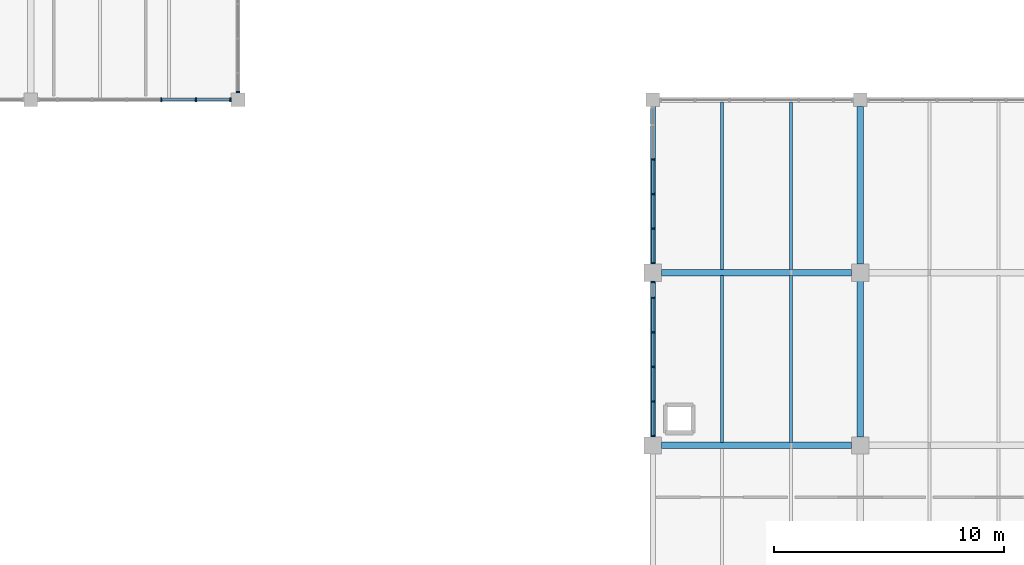
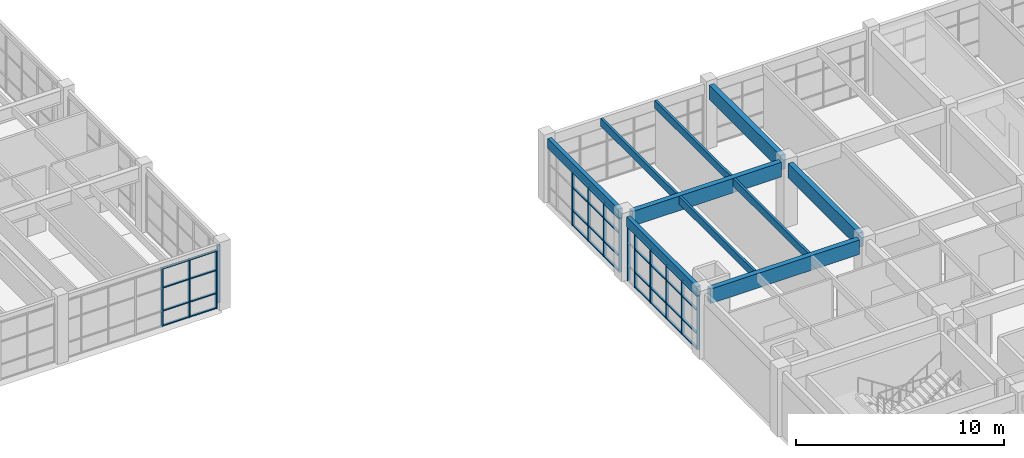
# One storey, part 29 of 76: 50 members, 10 beams, 4 elements without a shape of their own.
"""IFC4 building model written with IfcOpenShell, lengths in metres."""

from ifc_helpers import new_model, si_unit, direction, frame, origin, origin_2d, place, context, subcontext, project, spatial, rectangle, extrude, material, layer, layer_set, material_profile, profile_set, type_object, element, aggregate, save


model = new_model("IFC4")

# Units and contexts
model_context = context("Model", 3, precision=1e-05, world=origin(), true_north=direction((0.0, 1.0)))
body_context = subcontext(model_context, "Body", "Model", "MODEL_VIEW")
ifc_project = project(units=[si_unit("LENGTHUNIT", "METRE"), si_unit("AREAUNIT", "SQUARE_METRE"), si_unit("VOLUMEUNIT", "CUBIC_METRE"), si_unit("PLANEANGLEUNIT", "RADIAN"), si_unit("MASSUNIT", "GRAM", prefix="KILO")], contexts=[model_context])

# Site, building, storey
site_placement = place(None, origin())
site = spatial("IfcSite", under=ifc_project, at=site_placement, CompositionType="ELEMENT")
building_placement = place(site_placement, origin())
building = spatial("IfcBuilding", under=site, at=building_placement, Name="Marnridge Secondary College", CompositionType="ELEMENT")
storey_placement = place(building_placement, frame((0.0, 0.0, 4.5)))
storey = spatial("IfcBuildingStorey", under=building, at=storey_placement, Name="L01", CompositionType="ELEMENT", Elevation=4.5)

# Beams
ifc_material_1 = material(Name="Glulam timber GL18", Category="wood")
ifc_material_profile_1 = material_profile(ifc_material_1, rectangle(XDim=0.215087890625, YDim=0.5849609375, at=origin_2d()), Name="GL18 215x585")
ifc_profile_set_1 = profile_set([ifc_material_profile_1], Name="Glulam timber GL18")
beam_type_1 = type_object("IfcBeamType", Name="BM-GL585-EXT", PredefinedType="SPANDREL", material=ifc_profile_set_1)
beam_1_placement = place(storey_placement, frame((54.0, 67.868896484375, 3.447509765625), z_axis=(0.0, 1.0, 0.0), x_axis=(-1.0, 0.0, 0.0)))
element("IfcBeam", 1, at=beam_1_placement, inside=storey, type_object=beam_type_1, Name="Beam BS-L01-0430", PredefinedType="SPANDREL", context=body_context, shape_type="SweptSolid", body=[
    extrude(rectangle(XDim=0.215087890625, YDim=0.5849609375, at=origin_2d()), origin(), (0.0, 0.0, 1.0), 6.76220703125),
])
beam_2_placement = place(storey_placement, frame((54.0, 75.368896484375, 3.447509765625), z_axis=(0.0, 1.0, 0.0), x_axis=(-1.0, 0.0, 0.0)))
element("IfcBeam", 2, at=beam_2_placement, inside=storey, type_object=beam_type_1, Name="Beam BS-L01-0433", PredefinedType="SPANDREL", context=body_context, shape_type="SweptSolid", body=[
    extrude(rectangle(XDim=0.215087890625, YDim=0.5849609375, at=origin_2d()), origin(), (0.0, 0.0, 1.0), 6.837158203125),
])
ifc_material_2 = material(Name="Glulam timber GL18", Category="wood")
ifc_material_profile_2 = material_profile(ifc_material_2, rectangle(XDim=0.280029296875, YDim=0.85498046875, at=origin_2d()), Name="GL18 280x855")
ifc_profile_set_2 = profile_set([ifc_material_profile_2], Name="Glulam timber GL18")
beam_type_2 = type_object("IfcBeamType", Name="BM-GL855-INT", PredefinedType="BEAM", material=ifc_profile_set_2)
for number, where, z_axis, x_axis, name in (
    (3, (54.368896484375, 67.5, 3.3125), (1.0, 0.0, 0.0), (0.0, 1.0, 0.0), "Beam B-L01-0426"),
    (4, (54.368896484375, 75.0, 3.3125), (1.0, 0.0, 0.0), (0.0, 1.0, 0.0), "Beam B-L01-0429"),
):
    element("IfcBeam", number, at=place(storey_placement, frame(where, z_axis=z_axis, x_axis=x_axis)), inside=storey, type_object=beam_type_2, Name=name, PredefinedType="BEAM", context=body_context, shape_type="SweptSolid", body=[
        extrude(rectangle(XDim=0.280029296875, YDim=0.85498046875, at=origin_2d()), origin(), (0.0, 0.0, 1.0), 8.26220703125),
    ])
beam_3_placement = place(storey_placement, frame((63.0, 67.868896484375, 3.3125), z_axis=(0.0, 1.0, 0.0), x_axis=(-1.0, 0.0, 0.0)))
element("IfcBeam", 5, at=beam_3_placement, inside=storey, type_object=beam_type_2, Name="Beam B-L01-0431", PredefinedType="BEAM", context=body_context, shape_type="SweptSolid", body=[
    extrude(rectangle(XDim=0.280029296875, YDim=0.85498046875, at=origin_2d()), origin(), (0.0, 0.0, 1.0), 6.76220703125),
])
beam_4_placement = place(storey_placement, frame((63.0, 75.368896484375, 3.3125), z_axis=(0.0, 1.0, 0.0), x_axis=(-1.0, 0.0, 0.0)))
element("IfcBeam", 6, at=beam_4_placement, inside=storey, type_object=beam_type_2, Name="Beam B-L01-0434", PredefinedType="BEAM", context=body_context, shape_type="SweptSolid", body=[
    extrude(rectangle(XDim=0.280029296875, YDim=0.85498046875, at=origin_2d()), origin(), (0.0, 0.0, 1.0), 6.837158203125),
])
ifc_material_3 = material(Name="Engineered timber LVL E13.2", Category="wood")
ifc_material_profile_3 = material_profile(ifc_material_3, rectangle(XDim=0.1259765625, YDim=0.449951171875, at=origin_2d()), Name="LVL 126x450")
ifc_profile_set_3 = profile_set([ifc_material_profile_3], Name="Engineered timber LVL E13.2")
beam_type_3 = type_object("IfcBeamType", Name="BM-LVL450-INT", PredefinedType="JOIST", material=ifc_profile_set_3)
for number, where, z_axis, x_axis, name in (
    (7, (57.0, 67.634033203125, 3.514892578125), (0.0, 1.0, 0.0), (-1.0, 0.0, 0.0), "Beam BJ-L01-0480"),
    (8, (60.0, 67.634033203125, 3.514892578125), (0.0, 1.0, 0.0), (-1.0, 0.0, 0.0), "Beam BJ-L01-0481"),
):
    element("IfcBeam", number, at=place(storey_placement, frame(where, z_axis=z_axis, x_axis=x_axis)), inside=storey, type_object=beam_type_3, Name=name, PredefinedType="JOIST", context=body_context, shape_type="SweptSolid", body=[
        extrude(rectangle(XDim=0.1259765625, YDim=0.449951171875, at=origin_2d()), origin(), (0.0, 0.0, 1.0), 7.23193359375),
    ])
for number, where, z_axis, x_axis, name in (
    (9, (57.0, 75.134033203125, 3.514892578125), (0.0, 1.0, 0.0), (-1.0, 0.0, 0.0), "Beam BJ-L01-0482"),
    (10, (60.0, 75.134033203125, 3.514892578125), (0.0, 1.0, 0.0), (-1.0, 0.0, 0.0), "Beam BJ-L01-0483"),
):
    element("IfcBeam", number, at=place(storey_placement, frame(where, z_axis=z_axis, x_axis=x_axis)), inside=storey, type_object=beam_type_3, Name=name, PredefinedType="JOIST", context=body_context, shape_type="SweptSolid", body=[
        extrude(rectangle(XDim=0.1259765625, YDim=0.449951171875, at=origin_2d()), origin(), (0.0, 0.0, 1.0), 7.264404296875),
    ])

# Curtain wall, members
ifc_material_4 = material(Name="Thermally broken aluminium and low-E glazing", Category="aluminium")
ifc_layer = layer(ifc_material_4, 0.159912109375)
ifc_layer_set = layer_set([ifc_layer], Name="CW-MOD-1500")
curtain_wall_type = type_object("IfcCurtainWallType", Name="CW-MOD-1500", PredefinedType="NOTDEFINED", material=ifc_layer_set)
curtain_wall_1_placement = place(storey_placement, origin())
curtain_wall_1 = element("IfcCurtainWall", 11, at=curtain_wall_1_placement, inside=storey, type_object=curtain_wall_type, Name="Unitised curtain wall CW-L01-040", PredefinedType="NOTDEFINED")
ifc_material_5 = material(Name="Anodised aluminium 6063-T6", Category="aluminium")
ifc_material_profile_4 = material_profile(ifc_material_5, rectangle(XDim=0.06005859375, YDim=0.159912109375, at=origin_2d()), Name="ALU 60x160")
ifc_profile_set_4 = profile_set([ifc_material_profile_4], Name="Anodised aluminium 6063-T6")
member_type_1 = type_object("IfcMemberType", Name="CWM-ALU160", PredefinedType="MULLION", material=ifc_profile_set_4)
member_1_placement = place(storey_placement, frame((54.0, 67.908935546875, 0.0), z_axis=(0.0, 0.0, 1.0), x_axis=(0.0, 1.0, 0.0)))
member_1 = element("IfcMember", 12, at=member_1_placement, type_object=member_type_1, Name="CW-L01-040 mullion 1", PredefinedType="MULLION", context=body_context, shape_type="SweptSolid", body=[
    extrude(rectangle(XDim=0.06005859375, YDim=0.159912109375, at=origin_2d()), origin(), (0.0, 0.0, 1.0), 3.14697265625),
])
member_2_placement = place(storey_placement, frame((54.0, 69.408935546875, 0.0), z_axis=(0.0, 0.0, 1.0), x_axis=(0.0, 1.0, 0.0)))
member_2 = element("IfcMember", 13, at=member_2_placement, type_object=member_type_1, Name="CW-L01-040 mullion 2", PredefinedType="MULLION", context=body_context, shape_type="SweptSolid", body=[
    extrude(rectangle(XDim=0.06005859375, YDim=0.159912109375, at=origin_2d()), origin(), (0.0, 0.0, 1.0), 3.14697265625),
])
member_3_placement = place(storey_placement, frame((54.0, 70.908935546875, 0.0), z_axis=(0.0, 0.0, 1.0), x_axis=(0.0, 1.0, 0.0)))
member_3 = element("IfcMember", 14, at=member_3_placement, type_object=member_type_1, Name="CW-L01-040 mullion 3", PredefinedType="MULLION", context=body_context, shape_type="SweptSolid", body=[
    extrude(rectangle(XDim=0.06005859375, YDim=0.159912109375, at=origin_2d()), origin(), (0.0, 0.0, 1.0), 3.14697265625),
])
member_4_placement = place(storey_placement, frame((54.0, 72.408935546875, 0.0), z_axis=(0.0, 0.0, 1.0), x_axis=(0.0, 1.0, 0.0)))
member_4 = element("IfcMember", 15, at=member_4_placement, type_object=member_type_1, Name="CW-L01-040 mullion 4", PredefinedType="MULLION", context=body_context, shape_type="SweptSolid", body=[
    extrude(rectangle(XDim=0.06005859375, YDim=0.159912109375, at=origin_2d()), origin(), (0.0, 0.0, 1.0), 3.14697265625),
])
member_5_placement = place(storey_placement, frame((54.0, 73.908935546875, 0.0), z_axis=(0.0, 0.0, 1.0), x_axis=(0.0, 1.0, 0.0)))
member_5 = element("IfcMember", 16, at=member_5_placement, type_object=member_type_1, Name="CW-L01-040 mullion 5", PredefinedType="MULLION", context=body_context, shape_type="SweptSolid", body=[
    extrude(rectangle(XDim=0.06005859375, YDim=0.159912109375, at=origin_2d()), origin(), (0.0, 0.0, 1.0), 3.14697265625),
])
member_6_placement = place(storey_placement, frame((54.0, 74.591064453125, 0.0), z_axis=(0.0, 0.0, 1.0), x_axis=(0.0, 1.0, 0.0)))
member_6 = element("IfcMember", 17, at=member_6_placement, type_object=member_type_1, Name="CW-L01-040 mullion 6", PredefinedType="MULLION", context=body_context, shape_type="SweptSolid", body=[
    extrude(rectangle(XDim=0.06005859375, YDim=0.159912109375, at=origin_2d()), origin(), (0.0, 0.0, 1.0), 3.14697265625),
])

curtain_wall_2_placement = place(storey_placement, origin())
curtain_wall_2 = element("IfcCurtainWall", 18, at=curtain_wall_2_placement, inside=storey, type_object=curtain_wall_type, Name="Unitised curtain wall CW-L01-041", PredefinedType="NOTDEFINED")
member_7_placement = place(storey_placement, frame((54.0, 75.408935546875, 0.0), z_axis=(0.0, 0.0, 1.0), x_axis=(0.0, 1.0, 0.0)))
member_7 = element("IfcMember", 19, at=member_7_placement, type_object=member_type_1, Name="CW-L01-041 mullion 1", PredefinedType="MULLION", context=body_context, shape_type="SweptSolid", body=[
    extrude(rectangle(XDim=0.06005859375, YDim=0.159912109375, at=origin_2d()), origin(), (0.0, 0.0, 1.0), 3.14697265625),
])
member_8_placement = place(storey_placement, frame((54.0, 76.908935546875, 0.0), z_axis=(0.0, 0.0, 1.0), x_axis=(0.0, 1.0, 0.0)))
member_8 = element("IfcMember", 20, at=member_8_placement, type_object=member_type_1, Name="CW-L01-041 mullion 2", PredefinedType="MULLION", context=body_context, shape_type="SweptSolid", body=[
    extrude(rectangle(XDim=0.06005859375, YDim=0.159912109375, at=origin_2d()), origin(), (0.0, 0.0, 1.0), 3.14697265625),
])
member_9_placement = place(storey_placement, frame((54.0, 78.408935546875, 0.0), z_axis=(0.0, 0.0, 1.0), x_axis=(0.0, 1.0, 0.0)))
member_9 = element("IfcMember", 21, at=member_9_placement, type_object=member_type_1, Name="CW-L01-041 mullion 3", PredefinedType="MULLION", context=body_context, shape_type="SweptSolid", body=[
    extrude(rectangle(XDim=0.06005859375, YDim=0.159912109375, at=origin_2d()), origin(), (0.0, 0.0, 1.0), 3.14697265625),
])
member_10_placement = place(storey_placement, frame((54.0, 79.908935546875, 0.0), z_axis=(0.0, 0.0, 1.0), x_axis=(0.0, 1.0, 0.0)))
member_10 = element("IfcMember", 22, at=member_10_placement, type_object=member_type_1, Name="CW-L01-041 mullion 4", PredefinedType="MULLION", context=body_context, shape_type="SweptSolid", body=[
    extrude(rectangle(XDim=0.06005859375, YDim=0.159912109375, at=origin_2d()), origin(), (0.0, 0.0, 1.0), 3.14697265625),
])

# Curtain wall, member
curtain_wall_3_placement = place(storey_placement, origin())
curtain_wall_3 = element("IfcCurtainWall", 23, at=curtain_wall_3_placement, inside=storey, type_object=curtain_wall_type, Name="Unitised curtain wall CW-L01-050", PredefinedType="NOTDEFINED")
member_11_placement = place(storey_placement, frame((36.0, 82.833984375, 0.0), z_axis=(0.0, 0.0, 1.0), x_axis=(0.0, -1.0, 0.0)))
member_11 = element("IfcMember", 24, at=member_11_placement, type_object=member_type_1, Name="CW-L01-050 mullion 6", PredefinedType="MULLION", context=body_context, shape_type="SweptSolid", body=[
    extrude(rectangle(XDim=0.06005859375, YDim=0.159912109375, at=origin_2d()), origin(), (0.0, 0.0, 1.0), 3.39990234375),
])
aggregate(curtain_wall_3, [member_11])

# Curtain wall, members
curtain_wall_4_placement = place(storey_placement, origin())
curtain_wall_4 = element("IfcCurtainWall", 25, at=curtain_wall_4_placement, inside=storey, type_object=curtain_wall_type, Name="Unitised curtain wall CW-L01-051", PredefinedType="NOTDEFINED")
member_12_placement = place(storey_placement, frame((35.666015625, 82.5, 0.0), z_axis=(0.0, 0.0, 1.0), x_axis=(-1.0, 0.0, 0.0)))
member_12 = element("IfcMember", 26, at=member_12_placement, type_object=member_type_1, Name="CW-L01-051 mullion 1", PredefinedType="MULLION", context=body_context, shape_type="SweptSolid", body=[
    extrude(rectangle(XDim=0.06005859375, YDim=0.159912109375, at=origin_2d()), origin(), (0.0, 0.0, 1.0), 3.39990234375),
])
member_13_placement = place(storey_placement, frame((34.166015625, 82.5, 0.0), z_axis=(0.0, 0.0, 1.0), x_axis=(-1.0, 0.0, 0.0)))
member_13 = element("IfcMember", 27, at=member_13_placement, type_object=member_type_1, Name="CW-L01-051 mullion 2", PredefinedType="MULLION", context=body_context, shape_type="SweptSolid", body=[
    extrude(rectangle(XDim=0.06005859375, YDim=0.159912109375, at=origin_2d()), origin(), (0.0, 0.0, 1.0), 3.39990234375),
])
member_14_placement = place(storey_placement, frame((32.666015625, 82.5, 0.0), z_axis=(0.0, 0.0, 1.0), x_axis=(-1.0, 0.0, 0.0)))
member_14 = element("IfcMember", 28, at=member_14_placement, type_object=member_type_1, Name="CW-L01-051 mullion 3", PredefinedType="MULLION", context=body_context, shape_type="SweptSolid", body=[
    extrude(rectangle(XDim=0.06005859375, YDim=0.159912109375, at=origin_2d()), origin(), (0.0, 0.0, 1.0), 3.39990234375),
])

# Member
ifc_material_6 = material(Name="Anodised aluminium 6063-T6", Category="aluminium")
ifc_material_profile_5 = material_profile(ifc_material_6, rectangle(XDim=0.06005859375, YDim=0.1201171875, at=origin_2d()), Name="ALU 60x120")
ifc_profile_set_5 = profile_set([ifc_material_profile_5], Name="Anodised aluminium 6063-T6")
member_type_2 = type_object("IfcMemberType", Name="CWT-ALU120", PredefinedType="USERDEFINED", material=ifc_profile_set_5)
member_15_placement = place(storey_placement, frame((54.0, 67.93896484375, 0.030029296875), z_axis=(0.0, 1.0, 0.0), x_axis=(0.0, 0.0, 1.0)))
member_15 = element("IfcMember", 29, at=member_15_placement, type_object=member_type_2, Name="CW-L01-040 transom 1.1", ObjectType="TRANSOM", PredefinedType="USERDEFINED", context=body_context, shape_type="SweptSolid", body=[
    extrude(rectangle(XDim=0.06005859375, YDim=0.1201171875, at=origin_2d()), origin(), (0.0, 0.0, 1.0), 1.43994140625),
])

member_16_placement = place(storey_placement, frame((54.0, 67.93896484375, 0.89990234375), z_axis=(0.0, 1.0, 0.0), x_axis=(0.0, 0.0, 1.0)))
member_16 = element("IfcMember", 30, at=member_16_placement, type_object=member_type_2, Name="CW-L01-040 transom 1.2", ObjectType="TRANSOM", PredefinedType="USERDEFINED", context=body_context, shape_type="SweptSolid", body=[
    extrude(rectangle(XDim=0.06005859375, YDim=0.1201171875, at=origin_2d()), origin(), (0.0, 0.0, 1.0), 1.43994140625),
])

member_17_placement = place(storey_placement, frame((54.0, 67.93896484375, 2.25), z_axis=(0.0, 1.0, 0.0), x_axis=(0.0, 0.0, 1.0)))
member_17 = element("IfcMember", 31, at=member_17_placement, type_object=member_type_2, Name="CW-L01-040 transom 1.3", ObjectType="TRANSOM", PredefinedType="USERDEFINED", context=body_context, shape_type="SweptSolid", body=[
    extrude(rectangle(XDim=0.06005859375, YDim=0.1201171875, at=origin_2d()), origin(), (0.0, 0.0, 1.0), 1.43994140625),
])

member_18_placement = place(storey_placement, frame((54.0, 67.93896484375, 3.116943359375), z_axis=(0.0, 1.0, 0.0), x_axis=(0.0, 0.0, 1.0)))
member_18 = element("IfcMember", 32, at=member_18_placement, type_object=member_type_2, Name="CW-L01-040 transom 1.4", ObjectType="TRANSOM", PredefinedType="USERDEFINED", context=body_context, shape_type="SweptSolid", body=[
    extrude(rectangle(XDim=0.06005859375, YDim=0.1201171875, at=origin_2d()), origin(), (0.0, 0.0, 1.0), 1.43994140625),
])

member_19_placement = place(storey_placement, frame((54.0, 69.43896484375, 0.030029296875), z_axis=(0.0, 1.0, 0.0), x_axis=(0.0, 0.0, 1.0)))
member_19 = element("IfcMember", 33, at=member_19_placement, type_object=member_type_2, Name="CW-L01-040 transom 2.1", ObjectType="TRANSOM", PredefinedType="USERDEFINED", context=body_context, shape_type="SweptSolid", body=[
    extrude(rectangle(XDim=0.06005859375, YDim=0.1201171875, at=origin_2d()), origin(), (0.0, 0.0, 1.0), 1.43994140625),
])

member_20_placement = place(storey_placement, frame((54.0, 69.43896484375, 0.89990234375), z_axis=(0.0, 1.0, 0.0), x_axis=(0.0, 0.0, 1.0)))
member_20 = element("IfcMember", 34, at=member_20_placement, type_object=member_type_2, Name="CW-L01-040 transom 2.2", ObjectType="TRANSOM", PredefinedType="USERDEFINED", context=body_context, shape_type="SweptSolid", body=[
    extrude(rectangle(XDim=0.06005859375, YDim=0.1201171875, at=origin_2d()), origin(), (0.0, 0.0, 1.0), 1.43994140625),
])

member_21_placement = place(storey_placement, frame((54.0, 69.43896484375, 2.25), z_axis=(0.0, 1.0, 0.0), x_axis=(0.0, 0.0, 1.0)))
member_21 = element("IfcMember", 35, at=member_21_placement, type_object=member_type_2, Name="CW-L01-040 transom 2.3", ObjectType="TRANSOM", PredefinedType="USERDEFINED", context=body_context, shape_type="SweptSolid", body=[
    extrude(rectangle(XDim=0.06005859375, YDim=0.1201171875, at=origin_2d()), origin(), (0.0, 0.0, 1.0), 1.43994140625),
])

member_22_placement = place(storey_placement, frame((54.0, 69.43896484375, 3.116943359375), z_axis=(0.0, 1.0, 0.0), x_axis=(0.0, 0.0, 1.0)))
member_22 = element("IfcMember", 36, at=member_22_placement, type_object=member_type_2, Name="CW-L01-040 transom 2.4", ObjectType="TRANSOM", PredefinedType="USERDEFINED", context=body_context, shape_type="SweptSolid", body=[
    extrude(rectangle(XDim=0.06005859375, YDim=0.1201171875, at=origin_2d()), origin(), (0.0, 0.0, 1.0), 1.43994140625),
])

member_23_placement = place(storey_placement, frame((54.0, 70.93896484375, 0.030029296875), z_axis=(0.0, 1.0, 0.0), x_axis=(0.0, 0.0, 1.0)))
member_23 = element("IfcMember", 37, at=member_23_placement, type_object=member_type_2, Name="CW-L01-040 transom 3.1", ObjectType="TRANSOM", PredefinedType="USERDEFINED", context=body_context, shape_type="SweptSolid", body=[
    extrude(rectangle(XDim=0.06005859375, YDim=0.1201171875, at=origin_2d()), origin(), (0.0, 0.0, 1.0), 1.43994140625),
])

member_24_placement = place(storey_placement, frame((54.0, 70.93896484375, 0.89990234375), z_axis=(0.0, 1.0, 0.0), x_axis=(0.0, 0.0, 1.0)))
member_24 = element("IfcMember", 38, at=member_24_placement, type_object=member_type_2, Name="CW-L01-040 transom 3.2", ObjectType="TRANSOM", PredefinedType="USERDEFINED", context=body_context, shape_type="SweptSolid", body=[
    extrude(rectangle(XDim=0.06005859375, YDim=0.1201171875, at=origin_2d()), origin(), (0.0, 0.0, 1.0), 1.43994140625),
])

member_25_placement = place(storey_placement, frame((54.0, 70.93896484375, 2.25), z_axis=(0.0, 1.0, 0.0), x_axis=(0.0, 0.0, 1.0)))
member_25 = element("IfcMember", 39, at=member_25_placement, type_object=member_type_2, Name="CW-L01-040 transom 3.3", ObjectType="TRANSOM", PredefinedType="USERDEFINED", context=body_context, shape_type="SweptSolid", body=[
    extrude(rectangle(XDim=0.06005859375, YDim=0.1201171875, at=origin_2d()), origin(), (0.0, 0.0, 1.0), 1.43994140625),
])

member_26_placement = place(storey_placement, frame((54.0, 70.93896484375, 3.116943359375), z_axis=(0.0, 1.0, 0.0), x_axis=(0.0, 0.0, 1.0)))
member_26 = element("IfcMember", 40, at=member_26_placement, type_object=member_type_2, Name="CW-L01-040 transom 3.4", ObjectType="TRANSOM", PredefinedType="USERDEFINED", context=body_context, shape_type="SweptSolid", body=[
    extrude(rectangle(XDim=0.06005859375, YDim=0.1201171875, at=origin_2d()), origin(), (0.0, 0.0, 1.0), 1.43994140625),
])

member_27_placement = place(storey_placement, frame((54.0, 72.43896484375, 0.030029296875), z_axis=(0.0, 1.0, 0.0), x_axis=(0.0, 0.0, 1.0)))
member_27 = element("IfcMember", 41, at=member_27_placement, type_object=member_type_2, Name="CW-L01-040 transom 4.1", ObjectType="TRANSOM", PredefinedType="USERDEFINED", context=body_context, shape_type="SweptSolid", body=[
    extrude(rectangle(XDim=0.06005859375, YDim=0.1201171875, at=origin_2d()), origin(), (0.0, 0.0, 1.0), 1.43994140625),
])

member_28_placement = place(storey_placement, frame((54.0, 72.43896484375, 0.89990234375), z_axis=(0.0, 1.0, 0.0), x_axis=(0.0, 0.0, 1.0)))
member_28 = element("IfcMember", 42, at=member_28_placement, type_object=member_type_2, Name="CW-L01-040 transom 4.2", ObjectType="TRANSOM", PredefinedType="USERDEFINED", context=body_context, shape_type="SweptSolid", body=[
    extrude(rectangle(XDim=0.06005859375, YDim=0.1201171875, at=origin_2d()), origin(), (0.0, 0.0, 1.0), 1.43994140625),
])

member_29_placement = place(storey_placement, frame((54.0, 72.43896484375, 2.25), z_axis=(0.0, 1.0, 0.0), x_axis=(0.0, 0.0, 1.0)))
member_29 = element("IfcMember", 43, at=member_29_placement, type_object=member_type_2, Name="CW-L01-040 transom 4.3", ObjectType="TRANSOM", PredefinedType="USERDEFINED", context=body_context, shape_type="SweptSolid", body=[
    extrude(rectangle(XDim=0.06005859375, YDim=0.1201171875, at=origin_2d()), origin(), (0.0, 0.0, 1.0), 1.43994140625),
])

member_30_placement = place(storey_placement, frame((54.0, 72.43896484375, 3.116943359375), z_axis=(0.0, 1.0, 0.0), x_axis=(0.0, 0.0, 1.0)))
member_30 = element("IfcMember", 44, at=member_30_placement, type_object=member_type_2, Name="CW-L01-040 transom 4.4", ObjectType="TRANSOM", PredefinedType="USERDEFINED", context=body_context, shape_type="SweptSolid", body=[
    extrude(rectangle(XDim=0.06005859375, YDim=0.1201171875, at=origin_2d()), origin(), (0.0, 0.0, 1.0), 1.43994140625),
])

aggregate(curtain_wall_1, [member_1, member_2, member_3, member_4, member_5, member_6, member_15, member_16, member_17, member_18, member_19, member_20, member_21, member_22, member_23, member_24, member_25, member_26, member_27, member_28, member_29, member_30])

member_31_placement = place(storey_placement, frame((54.0, 75.43896484375, 0.030029296875), z_axis=(0.0, 1.0, 0.0), x_axis=(0.0, 0.0, 1.0)))
member_31 = element("IfcMember", 45, at=member_31_placement, type_object=member_type_2, Name="CW-L01-041 transom 1.1", ObjectType="TRANSOM", PredefinedType="USERDEFINED", context=body_context, shape_type="SweptSolid", body=[
    extrude(rectangle(XDim=0.06005859375, YDim=0.1201171875, at=origin_2d()), origin(), (0.0, 0.0, 1.0), 1.43994140625),
])

member_32_placement = place(storey_placement, frame((54.0, 75.43896484375, 0.89990234375), z_axis=(0.0, 1.0, 0.0), x_axis=(0.0, 0.0, 1.0)))
member_32 = element("IfcMember", 46, at=member_32_placement, type_object=member_type_2, Name="CW-L01-041 transom 1.2", ObjectType="TRANSOM", PredefinedType="USERDEFINED", context=body_context, shape_type="SweptSolid", body=[
    extrude(rectangle(XDim=0.06005859375, YDim=0.1201171875, at=origin_2d()), origin(), (0.0, 0.0, 1.0), 1.43994140625),
])

member_33_placement = place(storey_placement, frame((54.0, 75.43896484375, 2.25), z_axis=(0.0, 1.0, 0.0), x_axis=(0.0, 0.0, 1.0)))
member_33 = element("IfcMember", 47, at=member_33_placement, type_object=member_type_2, Name="CW-L01-041 transom 1.3", ObjectType="TRANSOM", PredefinedType="USERDEFINED", context=body_context, shape_type="SweptSolid", body=[
    extrude(rectangle(XDim=0.06005859375, YDim=0.1201171875, at=origin_2d()), origin(), (0.0, 0.0, 1.0), 1.43994140625),
])

member_34_placement = place(storey_placement, frame((54.0, 75.43896484375, 3.116943359375), z_axis=(0.0, 1.0, 0.0), x_axis=(0.0, 0.0, 1.0)))
member_34 = element("IfcMember", 48, at=member_34_placement, type_object=member_type_2, Name="CW-L01-041 transom 1.4", ObjectType="TRANSOM", PredefinedType="USERDEFINED", context=body_context, shape_type="SweptSolid", body=[
    extrude(rectangle(XDim=0.06005859375, YDim=0.1201171875, at=origin_2d()), origin(), (0.0, 0.0, 1.0), 1.43994140625),
])

member_35_placement = place(storey_placement, frame((54.0, 76.93896484375, 0.030029296875), z_axis=(0.0, 1.0, 0.0), x_axis=(0.0, 0.0, 1.0)))
member_35 = element("IfcMember", 49, at=member_35_placement, type_object=member_type_2, Name="CW-L01-041 transom 2.1", ObjectType="TRANSOM", PredefinedType="USERDEFINED", context=body_context, shape_type="SweptSolid", body=[
    extrude(rectangle(XDim=0.06005859375, YDim=0.1201171875, at=origin_2d()), origin(), (0.0, 0.0, 1.0), 1.43994140625),
])

member_36_placement = place(storey_placement, frame((54.0, 76.93896484375, 0.89990234375), z_axis=(0.0, 1.0, 0.0), x_axis=(0.0, 0.0, 1.0)))
member_36 = element("IfcMember", 50, at=member_36_placement, type_object=member_type_2, Name="CW-L01-041 transom 2.2", ObjectType="TRANSOM", PredefinedType="USERDEFINED", context=body_context, shape_type="SweptSolid", body=[
    extrude(rectangle(XDim=0.06005859375, YDim=0.1201171875, at=origin_2d()), origin(), (0.0, 0.0, 1.0), 1.43994140625),
])

member_37_placement = place(storey_placement, frame((54.0, 76.93896484375, 2.25), z_axis=(0.0, 1.0, 0.0), x_axis=(0.0, 0.0, 1.0)))
member_37 = element("IfcMember", 51, at=member_37_placement, type_object=member_type_2, Name="CW-L01-041 transom 2.3", ObjectType="TRANSOM", PredefinedType="USERDEFINED", context=body_context, shape_type="SweptSolid", body=[
    extrude(rectangle(XDim=0.06005859375, YDim=0.1201171875, at=origin_2d()), origin(), (0.0, 0.0, 1.0), 1.43994140625),
])

member_38_placement = place(storey_placement, frame((54.0, 76.93896484375, 3.116943359375), z_axis=(0.0, 1.0, 0.0), x_axis=(0.0, 0.0, 1.0)))
member_38 = element("IfcMember", 52, at=member_38_placement, type_object=member_type_2, Name="CW-L01-041 transom 2.4", ObjectType="TRANSOM", PredefinedType="USERDEFINED", context=body_context, shape_type="SweptSolid", body=[
    extrude(rectangle(XDim=0.06005859375, YDim=0.1201171875, at=origin_2d()), origin(), (0.0, 0.0, 1.0), 1.43994140625),
])

member_39_placement = place(storey_placement, frame((54.0, 78.43896484375, 0.030029296875), z_axis=(0.0, 1.0, 0.0), x_axis=(0.0, 0.0, 1.0)))
member_39 = element("IfcMember", 53, at=member_39_placement, type_object=member_type_2, Name="CW-L01-041 transom 3.1", ObjectType="TRANSOM", PredefinedType="USERDEFINED", context=body_context, shape_type="SweptSolid", body=[
    extrude(rectangle(XDim=0.06005859375, YDim=0.1201171875, at=origin_2d()), origin(), (0.0, 0.0, 1.0), 1.43994140625),
])

member_40_placement = place(storey_placement, frame((54.0, 78.43896484375, 0.89990234375), z_axis=(0.0, 1.0, 0.0), x_axis=(0.0, 0.0, 1.0)))
member_40 = element("IfcMember", 54, at=member_40_placement, type_object=member_type_2, Name="CW-L01-041 transom 3.2", ObjectType="TRANSOM", PredefinedType="USERDEFINED", context=body_context, shape_type="SweptSolid", body=[
    extrude(rectangle(XDim=0.06005859375, YDim=0.1201171875, at=origin_2d()), origin(), (0.0, 0.0, 1.0), 1.43994140625),
])

member_41_placement = place(storey_placement, frame((54.0, 78.43896484375, 2.25), z_axis=(0.0, 1.0, 0.0), x_axis=(0.0, 0.0, 1.0)))
member_41 = element("IfcMember", 55, at=member_41_placement, type_object=member_type_2, Name="CW-L01-041 transom 3.3", ObjectType="TRANSOM", PredefinedType="USERDEFINED", context=body_context, shape_type="SweptSolid", body=[
    extrude(rectangle(XDim=0.06005859375, YDim=0.1201171875, at=origin_2d()), origin(), (0.0, 0.0, 1.0), 1.43994140625),
])

member_42_placement = place(storey_placement, frame((54.0, 78.43896484375, 3.116943359375), z_axis=(0.0, 1.0, 0.0), x_axis=(0.0, 0.0, 1.0)))
member_42 = element("IfcMember", 56, at=member_42_placement, type_object=member_type_2, Name="CW-L01-041 transom 3.4", ObjectType="TRANSOM", PredefinedType="USERDEFINED", context=body_context, shape_type="SweptSolid", body=[
    extrude(rectangle(XDim=0.06005859375, YDim=0.1201171875, at=origin_2d()), origin(), (0.0, 0.0, 1.0), 1.43994140625),
])

aggregate(curtain_wall_2, [member_7, member_8, member_9, member_10, member_31, member_32, member_33, member_34, member_35, member_36, member_37, member_38, member_39, member_40, member_41, member_42])

member_43_placement = place(storey_placement, frame((35.635986328125, 82.5, 0.030029296875), z_axis=(-1.0, 0.0, 0.0), x_axis=(0.0, 0.0, 1.0)))
member_43 = element("IfcMember", 57, at=member_43_placement, type_object=member_type_2, Name="CW-L01-051 transom 1.1", ObjectType="TRANSOM", PredefinedType="USERDEFINED", context=body_context, shape_type="SweptSolid", body=[
    extrude(rectangle(XDim=0.06005859375, YDim=0.1201171875, at=origin_2d()), origin(), (0.0, 0.0, 1.0), 1.43994140625),
])

member_44_placement = place(storey_placement, frame((35.635986328125, 82.5, 0.89990234375), z_axis=(-1.0, 0.0, 0.0), x_axis=(0.0, 0.0, 1.0)))
member_44 = element("IfcMember", 58, at=member_44_placement, type_object=member_type_2, Name="CW-L01-051 transom 1.2", ObjectType="TRANSOM", PredefinedType="USERDEFINED", context=body_context, shape_type="SweptSolid", body=[
    extrude(rectangle(XDim=0.06005859375, YDim=0.1201171875, at=origin_2d()), origin(), (0.0, 0.0, 1.0), 1.43994140625),
])

member_45_placement = place(storey_placement, frame((35.635986328125, 82.5, 2.25), z_axis=(-1.0, 0.0, 0.0), x_axis=(0.0, 0.0, 1.0)))
member_45 = element("IfcMember", 59, at=member_45_placement, type_object=member_type_2, Name="CW-L01-051 transom 1.3", ObjectType="TRANSOM", PredefinedType="USERDEFINED", context=body_context, shape_type="SweptSolid", body=[
    extrude(rectangle(XDim=0.06005859375, YDim=0.1201171875, at=origin_2d()), origin(), (0.0, 0.0, 1.0), 1.43994140625),
])

member_46_placement = place(storey_placement, frame((35.635986328125, 82.5, 3.3701171875), z_axis=(-1.0, 0.0, 0.0), x_axis=(0.0, 0.0, 1.0)))
member_46 = element("IfcMember", 60, at=member_46_placement, type_object=member_type_2, Name="CW-L01-051 transom 1.4", ObjectType="TRANSOM", PredefinedType="USERDEFINED", context=body_context, shape_type="SweptSolid", body=[
    extrude(rectangle(XDim=0.06005859375, YDim=0.1201171875, at=origin_2d()), origin(), (0.0, 0.0, 1.0), 1.43994140625),
])

member_47_placement = place(storey_placement, frame((34.135986328125, 82.5, 0.030029296875), z_axis=(-1.0, 0.0, 0.0), x_axis=(0.0, 0.0, 1.0)))
member_47 = element("IfcMember", 61, at=member_47_placement, type_object=member_type_2, Name="CW-L01-051 transom 2.1", ObjectType="TRANSOM", PredefinedType="USERDEFINED", context=body_context, shape_type="SweptSolid", body=[
    extrude(rectangle(XDim=0.06005859375, YDim=0.1201171875, at=origin_2d()), origin(), (0.0, 0.0, 1.0), 1.43994140625),
])

member_48_placement = place(storey_placement, frame((34.135986328125, 82.5, 0.89990234375), z_axis=(-1.0, 0.0, 0.0), x_axis=(0.0, 0.0, 1.0)))
member_48 = element("IfcMember", 62, at=member_48_placement, type_object=member_type_2, Name="CW-L01-051 transom 2.2", ObjectType="TRANSOM", PredefinedType="USERDEFINED", context=body_context, shape_type="SweptSolid", body=[
    extrude(rectangle(XDim=0.06005859375, YDim=0.1201171875, at=origin_2d()), origin(), (0.0, 0.0, 1.0), 1.43994140625),
])

member_49_placement = place(storey_placement, frame((34.135986328125, 82.5, 2.25), z_axis=(-1.0, 0.0, 0.0), x_axis=(0.0, 0.0, 1.0)))
member_49 = element("IfcMember", 63, at=member_49_placement, type_object=member_type_2, Name="CW-L01-051 transom 2.3", ObjectType="TRANSOM", PredefinedType="USERDEFINED", context=body_context, shape_type="SweptSolid", body=[
    extrude(rectangle(XDim=0.06005859375, YDim=0.1201171875, at=origin_2d()), origin(), (0.0, 0.0, 1.0), 1.43994140625),
])

member_50_placement = place(storey_placement, frame((34.135986328125, 82.5, 3.3701171875), z_axis=(-1.0, 0.0, 0.0), x_axis=(0.0, 0.0, 1.0)))
member_50 = element("IfcMember", 64, at=member_50_placement, type_object=member_type_2, Name="CW-L01-051 transom 2.4", ObjectType="TRANSOM", PredefinedType="USERDEFINED", context=body_context, shape_type="SweptSolid", body=[
    extrude(rectangle(XDim=0.06005859375, YDim=0.1201171875, at=origin_2d()), origin(), (0.0, 0.0, 1.0), 1.43994140625),
])

aggregate(curtain_wall_4, [member_12, member_13, member_14, member_43, member_44, member_45, member_46, member_47, member_48, member_49, member_50])

save(model, "model.ifc")
